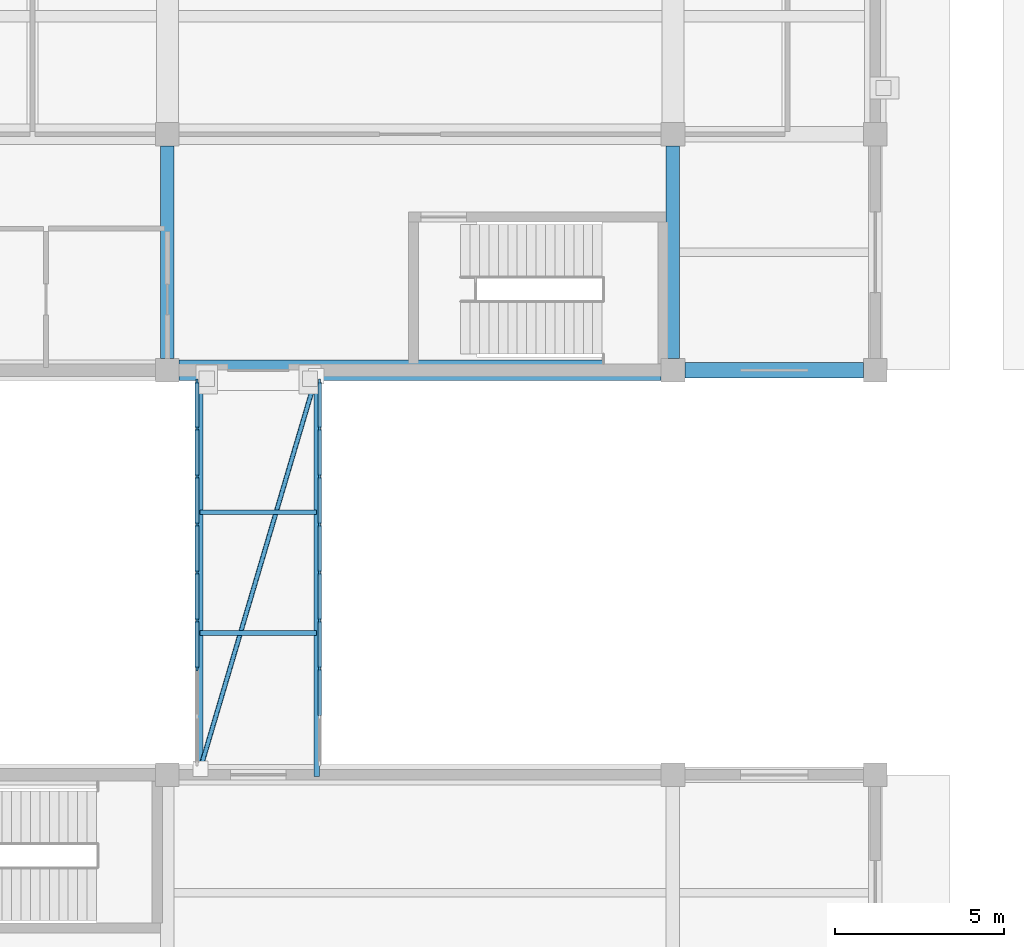
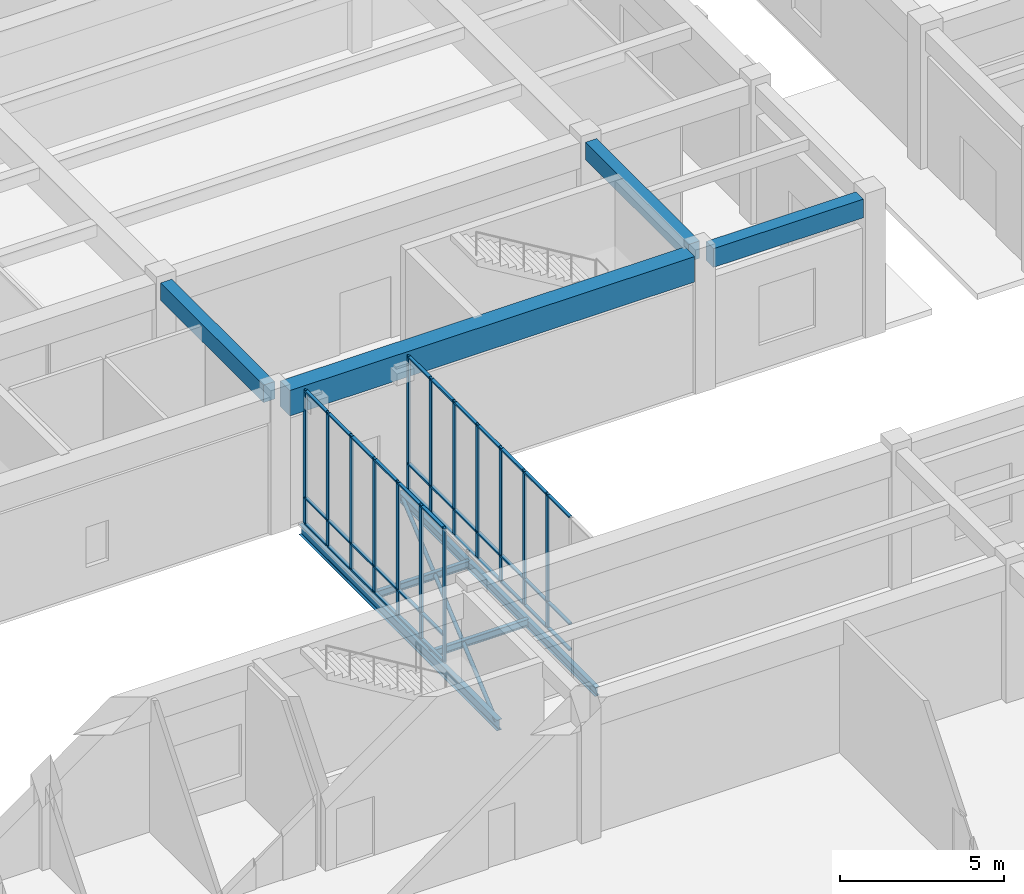
# One storey, part 8 of 40: 54 members, 8 beams, 2 elements without a shape of their own.
"""IFC4 building model written with IfcOpenShell, lengths in metres."""

from ifc_helpers import new_model, si_unit, direction, frame, origin, origin_2d, place, context, subcontext, project, spatial, rectangle, hollow_circle, i_section, extrude, material, layer, layer_set, material_profile, profile_set, type_object, element, aggregate, save


model = new_model("IFC4")

# Units and contexts
model_context = context("Model", 3, precision=1e-05, world=origin(), true_north=direction((0.0, 1.0)))
body_context = subcontext(model_context, "Body", "Model", "MODEL_VIEW")
ifc_project = project(units=[si_unit("LENGTHUNIT", "METRE"), si_unit("AREAUNIT", "SQUARE_METRE"), si_unit("VOLUMEUNIT", "CUBIC_METRE"), si_unit("PLANEANGLEUNIT", "RADIAN"), si_unit("MASSUNIT", "GRAM", prefix="KILO")], contexts=[model_context])

# Site, building, storey
site_placement = place(None, origin())
site = spatial("IfcSite", under=ifc_project, at=site_placement, CompositionType="ELEMENT")
building_placement = place(site_placement, origin())
building = spatial("IfcBuilding", under=site, at=building_placement, Name="Naurynzar Civic Courthouse", CompositionType="ELEMENT")
storey_placement = place(building_placement, origin())
storey = spatial("IfcBuildingStorey", under=building, at=storey_placement, Name="L01", CompositionType="ELEMENT", Elevation=0.0)

# Beams
ifc_material_1 = material(Name="Concrete C40/50", Category="concrete")
ifc_material_profile_1 = material_profile(ifc_material_1, rectangle(XDim=0.60009765625, YDim=0.949951171875, at=origin_2d()), Name="PTB 600x950")
ifc_profile_set_1 = profile_set([ifc_material_profile_1], Name="Concrete C40/50")
beam_type_1 = type_object("IfcBeamType", Name="BM-PT-600x950", PredefinedType="T_BEAM", material=ifc_profile_set_1)
beam_1_placement = place(storey_placement, frame((35.35009765625, 44.0, 4.655029296875), z_axis=(1.0, 0.0, 0.0), x_axis=(0.0, 1.0, 0.0)))
element("IfcBeam", 1, at=beam_1_placement, inside=storey, type_object=beam_type_1, Name="V1 beam X-61 L01", PredefinedType="T_BEAM", context=body_context, shape_type="SweptSolid", body=[
    extrude(rectangle(XDim=0.60009765625, YDim=0.949951171875, at=origin_2d()), origin(), (0.0, 0.0, 1.0), 14.2998046875),
])
ifc_material_2 = material(Name="Concrete C40/50", Category="concrete")
ifc_material_profile_2 = material_profile(ifc_material_2, rectangle(XDim=0.39990234375, YDim=0.64990234375, at=origin_2d()), Name="RCB 400x650")
ifc_profile_set_2 = profile_set([ifc_material_profile_2], Name="Concrete C40/50")
beam_type_2 = type_object("IfcBeamType", Name="BM-RC-400x650", PredefinedType="BEAM", material=ifc_profile_set_2)
for number, where, z_axis, x_axis, name in (
    (2, (35.0, 44.35009765625, 4.804931640625), (0.0, 1.0, 0.0), (-1.0, 0.0, 0.0), "V1 girder Y-87 L01"),
    (3, (50.0, 44.35009765625, 4.804931640625), (0.0, 1.0, 0.0), (-1.0, 0.0, 0.0), "V1 girder Y-90 L01"),
):
    element("IfcBeam", number, at=place(storey_placement, frame(where, z_axis=z_axis, x_axis=x_axis)), inside=storey, type_object=beam_type_2, Name=name, PredefinedType="BEAM", context=body_context, shape_type="SweptSolid", body=[
        extrude(rectangle(XDim=0.39990234375, YDim=0.64990234375, at=origin_2d()), origin(), (0.0, 0.0, 1.0), 6.2998046875),
    ])
ifc_material_3 = material(Name="Concrete C40/50", Category="concrete")
ifc_material_profile_3 = material_profile(ifc_material_3, rectangle(XDim=0.449951171875, YDim=0.699951171875, at=origin_2d()), Name="RCB 450x700")
ifc_profile_set_3 = profile_set([ifc_material_profile_3], Name="Concrete C40/50")
beam_type_3 = type_object("IfcBeamType", Name="BM-RC-450x700", PredefinedType="BEAM", material=ifc_profile_set_3)
beam_2_placement = place(storey_placement, frame((50.35009765625, 44.0, 4.780029296875), z_axis=(1.0, 0.0, 0.0), x_axis=(0.0, 1.0, 0.0)))
element("IfcBeam", 4, at=beam_2_placement, inside=storey, type_object=beam_type_3, Name="V1 beam X-62 L01", PredefinedType="BEAM", context=body_context, shape_type="SweptSolid", body=[
    extrude(rectangle(XDim=0.449951171875, YDim=0.699951171875, at=origin_2d()), origin(), (0.0, 0.0, 1.0), 5.2998046875),
])
ifc_material_4 = material(Name="Steel S355", Category="steel")
ifc_material_profile_4 = material_profile(ifc_material_4, i_section(OverallWidth=0.135009765625, OverallDepth=0.27001953125, WebThickness=0.006591796875, FlangeThickness=0.01025390625, FilletRadius=0.014892578125, at=origin_2d()), Name="IPE 270")
ifc_profile_set_4 = profile_set([ifc_material_profile_4], Name="Steel S355")
beam_type_4 = type_object("IfcBeamType", Name="BM-STL-IPE270", PredefinedType="BEAM", material=ifc_profile_set_4)
for number, where, z_axis, x_axis, name in (
    (5, (35.969970703125, 36.2060546875, -0.375), (1.0, 0.0, 0.0), (0.0, 1.0, 0.0), "BR-W1 deck cross-beam L01.1"),
    (6, (35.969970703125, 39.7939453125, -0.375), (1.0, 0.0, 0.0), (0.0, 1.0, 0.0), "BR-W1 deck cross-beam L01.2"),
):
    element("IfcBeam", number, at=place(storey_placement, frame(where, z_axis=z_axis, x_axis=x_axis)), inside=storey, type_object=beam_type_4, Name=name, PredefinedType="BEAM", context=body_context, shape_type="SweptSolid", body=[
        extrude(i_section(OverallWidth=0.135009765625, OverallDepth=0.27001953125, WebThickness=0.006591796875, FlangeThickness=0.01025390625, FilletRadius=0.014892578125, at=origin_2d()), origin(), (0.0, 0.0, 1.0), 3.4599609375),
    ])
ifc_material_5 = material(Name="Steel S355", Category="steel")
ifc_material_profile_5 = material_profile(ifc_material_5, i_section(OverallWidth=0.159912109375, OverallDepth=0.330078125, WebThickness=0.007568359375, FlangeThickness=0.011474609375, FilletRadius=0.01806640625, at=origin_2d()), Name="IPE 330")
ifc_profile_set_5 = profile_set([ifc_material_profile_5], Name="Steel S355")
beam_type_5 = type_object("IfcBeamType", Name="BM-STL-IPE330", PredefinedType="BEAM", material=ifc_profile_set_5)
beam_3_placement = place(storey_placement, frame((39.429931640625, 31.949951171875, -0.405029296875), z_axis=(0.0, 1.0, 0.0), x_axis=(-1.0, 0.0, 0.0)))
element("IfcBeam", 7, at=beam_3_placement, inside=storey, type_object=beam_type_5, Name="BR-W1 edge steel beam L01.2", PredefinedType="BEAM", context=body_context, shape_type="SweptSolid", body=[
    extrude(i_section(OverallWidth=0.159912109375, OverallDepth=0.330078125, WebThickness=0.007568359375, FlangeThickness=0.011474609375, FilletRadius=0.01806640625, at=origin_2d()), origin(), (0.0, 0.0, 1.0), 12.10009765625),
])
ifc_material_6 = material(Name="Steel S355", Category="steel")
ifc_material_profile_6 = material_profile(ifc_material_6, i_section(OverallWidth=0.179931640625, OverallDepth=0.39990234375, WebThickness=0.008544921875, FlangeThickness=0.013427734375, FilletRadius=0.02099609375, at=origin_2d()), Name="IPE 400")
ifc_profile_set_6 = profile_set([ifc_material_profile_6], Name="Steel S355")
beam_type_6 = type_object("IfcBeamType", Name="BM-STL-IPE400", PredefinedType="BEAM", material=ifc_profile_set_6)
beam_4_placement = place(storey_placement, frame((35.969970703125, 31.949951171875, -0.43994140625), z_axis=(0.0, 1.0, 0.0), x_axis=(-1.0, 0.0, 0.0)))
element("IfcBeam", 8, at=beam_4_placement, inside=storey, type_object=beam_type_6, Name="BR-W1 edge steel beam L01.1", PredefinedType="BEAM", context=body_context, shape_type="SweptSolid", body=[
    extrude(i_section(OverallWidth=0.179931640625, OverallDepth=0.39990234375, WebThickness=0.008544921875, FlangeThickness=0.013427734375, FilletRadius=0.02099609375, at=origin_2d()), origin(), (0.0, 0.0, 1.0), 12.10009765625),
])

# Curtain wall, members
ifc_material_7 = material(Name="Aluminium 6063-T6", Category="aluminium")
ifc_layer = layer(ifc_material_7, 0.14990234375)
ifc_layer_set = layer_set([ifc_layer], Name="CW-BRIDGE-1500")
curtain_wall_type = type_object("IfcCurtainWallType", Name="CW-BRIDGE-1500", PredefinedType="USERDEFINED", material=ifc_layer_set)
curtain_wall_1_placement = place(storey_placement, origin())
curtain_wall_1 = element("IfcCurtainWall", 9, at=curtain_wall_1_placement, inside=storey, type_object=curtain_wall_type, Name="BR-W1 glazed bridge screen L01.1", ObjectType="GLAZED BRIDGE SCREEN", PredefinedType="USERDEFINED")
ifc_material_8 = material(Name="Aluminium 6063-T6", Category="aluminium")
ifc_material_profile_7 = material_profile(ifc_material_8, rectangle(XDim=0.06005859375, YDim=0.14990234375, at=origin_2d()), Name="ALU MULLION 60x150")
ifc_profile_set_7 = profile_set([ifc_material_profile_7], Name="Aluminium 6063-T6")
member_type_1 = type_object("IfcMemberType", Name="CWM-60x150", PredefinedType="MULLION", material=ifc_profile_set_7)
member_1_placement = place(storey_placement, frame((35.8798828125, 43.669921875, 0.0), z_axis=(0.0, 0.0, 1.0), x_axis=(1.0, 0.0, 0.0)))
member_1 = element("IfcMember", 10, at=member_1_placement, type_object=member_type_1, Name="CW-03 mullion 1", PredefinedType="MULLION", context=body_context, shape_type="SweptSolid", body=[
    extrude(rectangle(XDim=0.06005859375, YDim=0.14990234375, at=origin_2d()), origin(), (0.0, 0.0, 1.0), 5.02001953125),
])
member_2_placement = place(storey_placement, frame((35.8798828125, 42.27490234375, 0.0), z_axis=(0.0, 0.0, 1.0), x_axis=(1.0, 0.0, 0.0)))
member_2 = element("IfcMember", 11, at=member_2_placement, type_object=member_type_1, Name="CW-03 mullion 2", PredefinedType="MULLION", context=body_context, shape_type="SweptSolid", body=[
    extrude(rectangle(XDim=0.06005859375, YDim=0.14990234375, at=origin_2d()), origin(), (0.0, 0.0, 1.0), 5.02001953125),
])
member_3_placement = place(storey_placement, frame((35.8798828125, 40.85009765625, 0.0), z_axis=(0.0, 0.0, 1.0), x_axis=(1.0, 0.0, 0.0)))
member_3 = element("IfcMember", 12, at=member_3_placement, type_object=member_type_1, Name="CW-03 mullion 3", PredefinedType="MULLION", context=body_context, shape_type="SweptSolid", body=[
    extrude(rectangle(XDim=0.06005859375, YDim=0.14990234375, at=origin_2d()), origin(), (0.0, 0.0, 1.0), 5.02001953125),
])
member_4_placement = place(storey_placement, frame((35.8798828125, 39.425048828125, 0.0), z_axis=(0.0, 0.0, 1.0), x_axis=(1.0, 0.0, 0.0)))
member_4 = element("IfcMember", 13, at=member_4_placement, type_object=member_type_1, Name="CW-03 mullion 4", PredefinedType="MULLION", context=body_context, shape_type="SweptSolid", body=[
    extrude(rectangle(XDim=0.06005859375, YDim=0.14990234375, at=origin_2d()), origin(), (0.0, 0.0, 1.0), 5.02001953125),
])
member_5_placement = place(storey_placement, frame((35.8798828125, 38.0, 0.0), z_axis=(0.0, 0.0, 1.0), x_axis=(1.0, 0.0, 0.0)))
member_5 = element("IfcMember", 14, at=member_5_placement, type_object=member_type_1, Name="CW-03 mullion 5", PredefinedType="MULLION", context=body_context, shape_type="SweptSolid", body=[
    extrude(rectangle(XDim=0.06005859375, YDim=0.14990234375, at=origin_2d()), origin(), (0.0, 0.0, 1.0), 5.02001953125),
])
member_6_placement = place(storey_placement, frame((35.8798828125, 36.574951171875, 0.0), z_axis=(0.0, 0.0, 1.0), x_axis=(1.0, 0.0, 0.0)))
member_6 = element("IfcMember", 15, at=member_6_placement, type_object=member_type_1, Name="CW-03 mullion 6", PredefinedType="MULLION", context=body_context, shape_type="SweptSolid", body=[
    extrude(rectangle(XDim=0.06005859375, YDim=0.14990234375, at=origin_2d()), origin(), (0.0, 0.0, 1.0), 5.02001953125),
])
member_7_placement = place(storey_placement, frame((35.8798828125, 35.14990234375, 0.0), z_axis=(0.0, 0.0, 1.0), x_axis=(1.0, 0.0, 0.0)))
member_7 = element("IfcMember", 16, at=member_7_placement, type_object=member_type_1, Name="CW-03 mullion 7", PredefinedType="MULLION", context=body_context, shape_type="SweptSolid", body=[
    extrude(rectangle(XDim=0.06005859375, YDim=0.14990234375, at=origin_2d()), origin(), (0.0, 0.0, 1.0), 5.02001953125),
])

curtain_wall_2_placement = place(storey_placement, origin())
curtain_wall_2 = element("IfcCurtainWall", 17, at=curtain_wall_2_placement, inside=storey, type_object=curtain_wall_type, Name="BR-W1 glazed bridge screen L01.2", ObjectType="GLAZED BRIDGE SCREEN", PredefinedType="USERDEFINED")
member_8_placement = place(storey_placement, frame((39.52001953125, 35.14990234375, 0.0), z_axis=(0.0, 0.0, 1.0), x_axis=(-1.0, 0.0, 0.0)))
member_8 = element("IfcMember", 18, at=member_8_placement, type_object=member_type_1, Name="CW-03 mullion 3", PredefinedType="MULLION", context=body_context, shape_type="SweptSolid", body=[
    extrude(rectangle(XDim=0.06005859375, YDim=0.14990234375, at=origin_2d()), origin(), (0.0, 0.0, 1.0), 5.02001953125),
])
member_9_placement = place(storey_placement, frame((39.52001953125, 36.574951171875, 0.0), z_axis=(0.0, 0.0, 1.0), x_axis=(-1.0, 0.0, 0.0)))
member_9 = element("IfcMember", 19, at=member_9_placement, type_object=member_type_1, Name="CW-03 mullion 4", PredefinedType="MULLION", context=body_context, shape_type="SweptSolid", body=[
    extrude(rectangle(XDim=0.06005859375, YDim=0.14990234375, at=origin_2d()), origin(), (0.0, 0.0, 1.0), 5.02001953125),
])
member_10_placement = place(storey_placement, frame((39.52001953125, 38.0, 0.0), z_axis=(0.0, 0.0, 1.0), x_axis=(-1.0, 0.0, 0.0)))
member_10 = element("IfcMember", 20, at=member_10_placement, type_object=member_type_1, Name="CW-03 mullion 5", PredefinedType="MULLION", context=body_context, shape_type="SweptSolid", body=[
    extrude(rectangle(XDim=0.06005859375, YDim=0.14990234375, at=origin_2d()), origin(), (0.0, 0.0, 1.0), 5.02001953125),
])
member_11_placement = place(storey_placement, frame((39.52001953125, 39.425048828125, 0.0), z_axis=(0.0, 0.0, 1.0), x_axis=(-1.0, 0.0, 0.0)))
member_11 = element("IfcMember", 21, at=member_11_placement, type_object=member_type_1, Name="CW-03 mullion 6", PredefinedType="MULLION", context=body_context, shape_type="SweptSolid", body=[
    extrude(rectangle(XDim=0.06005859375, YDim=0.14990234375, at=origin_2d()), origin(), (0.0, 0.0, 1.0), 5.02001953125),
])
member_12_placement = place(storey_placement, frame((39.52001953125, 40.85009765625, 0.0), z_axis=(0.0, 0.0, 1.0), x_axis=(-1.0, 0.0, 0.0)))
member_12 = element("IfcMember", 22, at=member_12_placement, type_object=member_type_1, Name="CW-03 mullion 7", PredefinedType="MULLION", context=body_context, shape_type="SweptSolid", body=[
    extrude(rectangle(XDim=0.06005859375, YDim=0.14990234375, at=origin_2d()), origin(), (0.0, 0.0, 1.0), 5.02001953125),
])
member_13_placement = place(storey_placement, frame((39.52001953125, 42.27490234375, 0.0), z_axis=(0.0, 0.0, 1.0), x_axis=(-1.0, 0.0, 0.0)))
member_13 = element("IfcMember", 23, at=member_13_placement, type_object=member_type_1, Name="CW-03 mullion 8", PredefinedType="MULLION", context=body_context, shape_type="SweptSolid", body=[
    extrude(rectangle(XDim=0.06005859375, YDim=0.14990234375, at=origin_2d()), origin(), (0.0, 0.0, 1.0), 5.02001953125),
])
member_14_placement = place(storey_placement, frame((39.52001953125, 43.669921875, 0.0), z_axis=(0.0, 0.0, 1.0), x_axis=(-1.0, 0.0, 0.0)))
member_14 = element("IfcMember", 24, at=member_14_placement, type_object=member_type_1, Name="CW-03 mullion 9", PredefinedType="MULLION", context=body_context, shape_type="SweptSolid", body=[
    extrude(rectangle(XDim=0.06005859375, YDim=0.14990234375, at=origin_2d()), origin(), (0.0, 0.0, 1.0), 5.02001953125),
])

# Member
ifc_material_9 = material(Name="Aluminium 6063-T6", Category="aluminium")
ifc_material_profile_8 = material_profile(ifc_material_9, rectangle(XDim=0.110107421875, YDim=0.06005859375, at=origin_2d()), Name="ALU TRANSOM 60x110")
ifc_profile_set_8 = profile_set([ifc_material_profile_8], Name="Aluminium 6063-T6")
member_type_2 = type_object("IfcMemberType", Name="CWT-60x110", PredefinedType="USERDEFINED", material=ifc_profile_set_8)
member_15_placement = place(storey_placement, frame((35.8798828125, 43.639892578125, 0.030029296875), z_axis=(0.0, -1.0, 0.0), x_axis=(1.0, 0.0, 0.0)))
member_15 = element("IfcMember", 25, at=member_15_placement, type_object=member_type_2, Name="CW-03 transom 1.1", ObjectType="TRANSOM", PredefinedType="USERDEFINED", context=body_context, shape_type="SweptSolid", body=[
    extrude(rectangle(XDim=0.110107421875, YDim=0.06005859375, at=origin_2d()), origin(), (0.0, 0.0, 1.0), 1.3349609375),
])

member_16_placement = place(storey_placement, frame((35.8798828125, 43.639892578125, 1.0), z_axis=(0.0, -1.0, 0.0), x_axis=(1.0, 0.0, 0.0)))
member_16 = element("IfcMember", 26, at=member_16_placement, type_object=member_type_2, Name="CW-03 transom 1.2", ObjectType="TRANSOM", PredefinedType="USERDEFINED", context=body_context, shape_type="SweptSolid", body=[
    extrude(rectangle(XDim=0.110107421875, YDim=0.06005859375, at=origin_2d()), origin(), (0.0, 0.0, 1.0), 1.3349609375),
])

member_17_placement = place(storey_placement, frame((35.8798828125, 43.639892578125, 4.989990234375), z_axis=(0.0, -1.0, 0.0), x_axis=(1.0, 0.0, 0.0)))
member_17 = element("IfcMember", 27, at=member_17_placement, type_object=member_type_2, Name="CW-03 transom 1.3", ObjectType="TRANSOM", PredefinedType="USERDEFINED", context=body_context, shape_type="SweptSolid", body=[
    extrude(rectangle(XDim=0.110107421875, YDim=0.06005859375, at=origin_2d()), origin(), (0.0, 0.0, 1.0), 1.3349609375),
])

member_18_placement = place(storey_placement, frame((35.8798828125, 42.2451171875, 0.030029296875), z_axis=(0.0, -1.0, 0.0), x_axis=(1.0, 0.0, 0.0)))
member_18 = element("IfcMember", 28, at=member_18_placement, type_object=member_type_2, Name="CW-03 transom 2.1", ObjectType="TRANSOM", PredefinedType="USERDEFINED", context=body_context, shape_type="SweptSolid", body=[
    extrude(rectangle(XDim=0.110107421875, YDim=0.06005859375, at=origin_2d()), origin(), (0.0, 0.0, 1.0), 1.365234375),
])

member_19_placement = place(storey_placement, frame((35.8798828125, 42.2451171875, 1.0), z_axis=(0.0, -1.0, 0.0), x_axis=(1.0, 0.0, 0.0)))
member_19 = element("IfcMember", 29, at=member_19_placement, type_object=member_type_2, Name="CW-03 transom 2.2", ObjectType="TRANSOM", PredefinedType="USERDEFINED", context=body_context, shape_type="SweptSolid", body=[
    extrude(rectangle(XDim=0.110107421875, YDim=0.06005859375, at=origin_2d()), origin(), (0.0, 0.0, 1.0), 1.365234375),
])

member_20_placement = place(storey_placement, frame((35.8798828125, 42.2451171875, 4.989990234375), z_axis=(0.0, -1.0, 0.0), x_axis=(1.0, 0.0, 0.0)))
member_20 = element("IfcMember", 30, at=member_20_placement, type_object=member_type_2, Name="CW-03 transom 2.3", ObjectType="TRANSOM", PredefinedType="USERDEFINED", context=body_context, shape_type="SweptSolid", body=[
    extrude(rectangle(XDim=0.110107421875, YDim=0.06005859375, at=origin_2d()), origin(), (0.0, 0.0, 1.0), 1.365234375),
])

member_21_placement = place(storey_placement, frame((35.8798828125, 40.820068359375, 0.030029296875), z_axis=(0.0, -1.0, 0.0), x_axis=(1.0, 0.0, 0.0)))
member_21 = element("IfcMember", 31, at=member_21_placement, type_object=member_type_2, Name="CW-03 transom 3.1", ObjectType="TRANSOM", PredefinedType="USERDEFINED", context=body_context, shape_type="SweptSolid", body=[
    extrude(rectangle(XDim=0.110107421875, YDim=0.06005859375, at=origin_2d()), origin(), (0.0, 0.0, 1.0), 1.364990234375),
])

member_22_placement = place(storey_placement, frame((35.8798828125, 40.820068359375, 1.0), z_axis=(0.0, -1.0, 0.0), x_axis=(1.0, 0.0, 0.0)))
member_22 = element("IfcMember", 32, at=member_22_placement, type_object=member_type_2, Name="CW-03 transom 3.2", ObjectType="TRANSOM", PredefinedType="USERDEFINED", context=body_context, shape_type="SweptSolid", body=[
    extrude(rectangle(XDim=0.110107421875, YDim=0.06005859375, at=origin_2d()), origin(), (0.0, 0.0, 1.0), 1.364990234375),
])

member_23_placement = place(storey_placement, frame((35.8798828125, 40.820068359375, 4.989990234375), z_axis=(0.0, -1.0, 0.0), x_axis=(1.0, 0.0, 0.0)))
member_23 = element("IfcMember", 33, at=member_23_placement, type_object=member_type_2, Name="CW-03 transom 3.3", ObjectType="TRANSOM", PredefinedType="USERDEFINED", context=body_context, shape_type="SweptSolid", body=[
    extrude(rectangle(XDim=0.110107421875, YDim=0.06005859375, at=origin_2d()), origin(), (0.0, 0.0, 1.0), 1.364990234375),
])

member_24_placement = place(storey_placement, frame((35.8798828125, 39.39501953125, 0.030029296875), z_axis=(0.0, -1.0, 0.0), x_axis=(1.0, 0.0, 0.0)))
member_24 = element("IfcMember", 34, at=member_24_placement, type_object=member_type_2, Name="CW-03 transom 4.1", ObjectType="TRANSOM", PredefinedType="USERDEFINED", context=body_context, shape_type="SweptSolid", body=[
    extrude(rectangle(XDim=0.110107421875, YDim=0.06005859375, at=origin_2d()), origin(), (0.0, 0.0, 1.0), 1.364990234375),
])

member_25_placement = place(storey_placement, frame((35.8798828125, 39.39501953125, 1.0), z_axis=(0.0, -1.0, 0.0), x_axis=(1.0, 0.0, 0.0)))
member_25 = element("IfcMember", 35, at=member_25_placement, type_object=member_type_2, Name="CW-03 transom 4.2", ObjectType="TRANSOM", PredefinedType="USERDEFINED", context=body_context, shape_type="SweptSolid", body=[
    extrude(rectangle(XDim=0.110107421875, YDim=0.06005859375, at=origin_2d()), origin(), (0.0, 0.0, 1.0), 1.364990234375),
])

member_26_placement = place(storey_placement, frame((35.8798828125, 39.39501953125, 4.989990234375), z_axis=(0.0, -1.0, 0.0), x_axis=(1.0, 0.0, 0.0)))
member_26 = element("IfcMember", 36, at=member_26_placement, type_object=member_type_2, Name="CW-03 transom 4.3", ObjectType="TRANSOM", PredefinedType="USERDEFINED", context=body_context, shape_type="SweptSolid", body=[
    extrude(rectangle(XDim=0.110107421875, YDim=0.06005859375, at=origin_2d()), origin(), (0.0, 0.0, 1.0), 1.364990234375),
])

member_27_placement = place(storey_placement, frame((35.8798828125, 37.969970703125, 0.030029296875), z_axis=(0.0, -1.0, 0.0), x_axis=(1.0, 0.0, 0.0)))
member_27 = element("IfcMember", 37, at=member_27_placement, type_object=member_type_2, Name="CW-03 transom 5.1", ObjectType="TRANSOM", PredefinedType="USERDEFINED", context=body_context, shape_type="SweptSolid", body=[
    extrude(rectangle(XDim=0.110107421875, YDim=0.06005859375, at=origin_2d()), origin(), (0.0, 0.0, 1.0), 1.364990234375),
])

member_28_placement = place(storey_placement, frame((35.8798828125, 37.969970703125, 1.0), z_axis=(0.0, -1.0, 0.0), x_axis=(1.0, 0.0, 0.0)))
member_28 = element("IfcMember", 38, at=member_28_placement, type_object=member_type_2, Name="CW-03 transom 5.2", ObjectType="TRANSOM", PredefinedType="USERDEFINED", context=body_context, shape_type="SweptSolid", body=[
    extrude(rectangle(XDim=0.110107421875, YDim=0.06005859375, at=origin_2d()), origin(), (0.0, 0.0, 1.0), 1.364990234375),
])

member_29_placement = place(storey_placement, frame((35.8798828125, 37.969970703125, 4.989990234375), z_axis=(0.0, -1.0, 0.0), x_axis=(1.0, 0.0, 0.0)))
member_29 = element("IfcMember", 39, at=member_29_placement, type_object=member_type_2, Name="CW-03 transom 5.3", ObjectType="TRANSOM", PredefinedType="USERDEFINED", context=body_context, shape_type="SweptSolid", body=[
    extrude(rectangle(XDim=0.110107421875, YDim=0.06005859375, at=origin_2d()), origin(), (0.0, 0.0, 1.0), 1.364990234375),
])

member_30_placement = place(storey_placement, frame((35.8798828125, 36.544921875, 0.030029296875), z_axis=(0.0, -1.0, 0.0), x_axis=(1.0, 0.0, 0.0)))
member_30 = element("IfcMember", 40, at=member_30_placement, type_object=member_type_2, Name="CW-03 transom 6.1", ObjectType="TRANSOM", PredefinedType="USERDEFINED", context=body_context, shape_type="SweptSolid", body=[
    extrude(rectangle(XDim=0.110107421875, YDim=0.06005859375, at=origin_2d()), origin(), (0.0, 0.0, 1.0), 1.364990234375),
])

member_31_placement = place(storey_placement, frame((35.8798828125, 36.544921875, 1.0), z_axis=(0.0, -1.0, 0.0), x_axis=(1.0, 0.0, 0.0)))
member_31 = element("IfcMember", 41, at=member_31_placement, type_object=member_type_2, Name="CW-03 transom 6.2", ObjectType="TRANSOM", PredefinedType="USERDEFINED", context=body_context, shape_type="SweptSolid", body=[
    extrude(rectangle(XDim=0.110107421875, YDim=0.06005859375, at=origin_2d()), origin(), (0.0, 0.0, 1.0), 1.364990234375),
])

member_32_placement = place(storey_placement, frame((35.8798828125, 36.544921875, 4.989990234375), z_axis=(0.0, -1.0, 0.0), x_axis=(1.0, 0.0, 0.0)))
member_32 = element("IfcMember", 42, at=member_32_placement, type_object=member_type_2, Name="CW-03 transom 6.3", ObjectType="TRANSOM", PredefinedType="USERDEFINED", context=body_context, shape_type="SweptSolid", body=[
    extrude(rectangle(XDim=0.110107421875, YDim=0.06005859375, at=origin_2d()), origin(), (0.0, 0.0, 1.0), 1.364990234375),
])

aggregate(curtain_wall_1, [member_1, member_2, member_3, member_4, member_5, member_6, member_7, member_15, member_16, member_17, member_18, member_19, member_20, member_21, member_22, member_23, member_24, member_25, member_26, member_27, member_28, member_29, member_30, member_31, member_32])

member_33_placement = place(storey_placement, frame((39.52001953125, 33.7548828125, 0.030029296875), z_axis=(0.0, 1.0, 0.0), x_axis=(-1.0, 0.0, 0.0)))
member_33 = element("IfcMember", 43, at=member_33_placement, type_object=member_type_2, Name="CW-03 transom 2.1", ObjectType="TRANSOM", PredefinedType="USERDEFINED", context=body_context, shape_type="SweptSolid", body=[
    extrude(rectangle(XDim=0.110107421875, YDim=0.06005859375, at=origin_2d()), origin(), (0.0, 0.0, 1.0), 1.365234375),
])

member_34_placement = place(storey_placement, frame((39.52001953125, 33.7548828125, 1.0), z_axis=(0.0, 1.0, 0.0), x_axis=(-1.0, 0.0, 0.0)))
member_34 = element("IfcMember", 44, at=member_34_placement, type_object=member_type_2, Name="CW-03 transom 2.2", ObjectType="TRANSOM", PredefinedType="USERDEFINED", context=body_context, shape_type="SweptSolid", body=[
    extrude(rectangle(XDim=0.110107421875, YDim=0.06005859375, at=origin_2d()), origin(), (0.0, 0.0, 1.0), 1.365234375),
])

member_35_placement = place(storey_placement, frame((39.52001953125, 33.7548828125, 4.989990234375), z_axis=(0.0, 1.0, 0.0), x_axis=(-1.0, 0.0, 0.0)))
member_35 = element("IfcMember", 45, at=member_35_placement, type_object=member_type_2, Name="CW-03 transom 2.3", ObjectType="TRANSOM", PredefinedType="USERDEFINED", context=body_context, shape_type="SweptSolid", body=[
    extrude(rectangle(XDim=0.110107421875, YDim=0.06005859375, at=origin_2d()), origin(), (0.0, 0.0, 1.0), 1.365234375),
])

member_36_placement = place(storey_placement, frame((39.52001953125, 35.179931640625, 0.030029296875), z_axis=(0.0, 1.0, 0.0), x_axis=(-1.0, 0.0, 0.0)))
member_36 = element("IfcMember", 46, at=member_36_placement, type_object=member_type_2, Name="CW-03 transom 3.1", ObjectType="TRANSOM", PredefinedType="USERDEFINED", context=body_context, shape_type="SweptSolid", body=[
    extrude(rectangle(XDim=0.110107421875, YDim=0.06005859375, at=origin_2d()), origin(), (0.0, 0.0, 1.0), 1.364990234375),
])

member_37_placement = place(storey_placement, frame((39.52001953125, 35.179931640625, 1.0), z_axis=(0.0, 1.0, 0.0), x_axis=(-1.0, 0.0, 0.0)))
member_37 = element("IfcMember", 47, at=member_37_placement, type_object=member_type_2, Name="CW-03 transom 3.2", ObjectType="TRANSOM", PredefinedType="USERDEFINED", context=body_context, shape_type="SweptSolid", body=[
    extrude(rectangle(XDim=0.110107421875, YDim=0.06005859375, at=origin_2d()), origin(), (0.0, 0.0, 1.0), 1.364990234375),
])

member_38_placement = place(storey_placement, frame((39.52001953125, 35.179931640625, 4.989990234375), z_axis=(0.0, 1.0, 0.0), x_axis=(-1.0, 0.0, 0.0)))
member_38 = element("IfcMember", 48, at=member_38_placement, type_object=member_type_2, Name="CW-03 transom 3.3", ObjectType="TRANSOM", PredefinedType="USERDEFINED", context=body_context, shape_type="SweptSolid", body=[
    extrude(rectangle(XDim=0.110107421875, YDim=0.06005859375, at=origin_2d()), origin(), (0.0, 0.0, 1.0), 1.364990234375),
])

member_39_placement = place(storey_placement, frame((39.52001953125, 36.60498046875, 0.030029296875), z_axis=(0.0, 1.0, 0.0), x_axis=(-1.0, 0.0, 0.0)))
member_39 = element("IfcMember", 49, at=member_39_placement, type_object=member_type_2, Name="CW-03 transom 4.1", ObjectType="TRANSOM", PredefinedType="USERDEFINED", context=body_context, shape_type="SweptSolid", body=[
    extrude(rectangle(XDim=0.110107421875, YDim=0.06005859375, at=origin_2d()), origin(), (0.0, 0.0, 1.0), 1.364990234375),
])

member_40_placement = place(storey_placement, frame((39.52001953125, 36.60498046875, 1.0), z_axis=(0.0, 1.0, 0.0), x_axis=(-1.0, 0.0, 0.0)))
member_40 = element("IfcMember", 50, at=member_40_placement, type_object=member_type_2, Name="CW-03 transom 4.2", ObjectType="TRANSOM", PredefinedType="USERDEFINED", context=body_context, shape_type="SweptSolid", body=[
    extrude(rectangle(XDim=0.110107421875, YDim=0.06005859375, at=origin_2d()), origin(), (0.0, 0.0, 1.0), 1.364990234375),
])

member_41_placement = place(storey_placement, frame((39.52001953125, 36.60498046875, 4.989990234375), z_axis=(0.0, 1.0, 0.0), x_axis=(-1.0, 0.0, 0.0)))
member_41 = element("IfcMember", 51, at=member_41_placement, type_object=member_type_2, Name="CW-03 transom 4.3", ObjectType="TRANSOM", PredefinedType="USERDEFINED", context=body_context, shape_type="SweptSolid", body=[
    extrude(rectangle(XDim=0.110107421875, YDim=0.06005859375, at=origin_2d()), origin(), (0.0, 0.0, 1.0), 1.364990234375),
])

member_42_placement = place(storey_placement, frame((39.52001953125, 38.030029296875, 0.030029296875), z_axis=(0.0, 1.0, 0.0), x_axis=(-1.0, 0.0, 0.0)))
member_42 = element("IfcMember", 52, at=member_42_placement, type_object=member_type_2, Name="CW-03 transom 5.1", ObjectType="TRANSOM", PredefinedType="USERDEFINED", context=body_context, shape_type="SweptSolid", body=[
    extrude(rectangle(XDim=0.110107421875, YDim=0.06005859375, at=origin_2d()), origin(), (0.0, 0.0, 1.0), 1.364990234375),
])

member_43_placement = place(storey_placement, frame((39.52001953125, 38.030029296875, 1.0), z_axis=(0.0, 1.0, 0.0), x_axis=(-1.0, 0.0, 0.0)))
member_43 = element("IfcMember", 53, at=member_43_placement, type_object=member_type_2, Name="CW-03 transom 5.2", ObjectType="TRANSOM", PredefinedType="USERDEFINED", context=body_context, shape_type="SweptSolid", body=[
    extrude(rectangle(XDim=0.110107421875, YDim=0.06005859375, at=origin_2d()), origin(), (0.0, 0.0, 1.0), 1.364990234375),
])

member_44_placement = place(storey_placement, frame((39.52001953125, 38.030029296875, 4.989990234375), z_axis=(0.0, 1.0, 0.0), x_axis=(-1.0, 0.0, 0.0)))
member_44 = element("IfcMember", 54, at=member_44_placement, type_object=member_type_2, Name="CW-03 transom 5.3", ObjectType="TRANSOM", PredefinedType="USERDEFINED", context=body_context, shape_type="SweptSolid", body=[
    extrude(rectangle(XDim=0.110107421875, YDim=0.06005859375, at=origin_2d()), origin(), (0.0, 0.0, 1.0), 1.364990234375),
])

member_45_placement = place(storey_placement, frame((39.52001953125, 39.455078125, 0.030029296875), z_axis=(0.0, 1.0, 0.0), x_axis=(-1.0, 0.0, 0.0)))
member_45 = element("IfcMember", 55, at=member_45_placement, type_object=member_type_2, Name="CW-03 transom 6.1", ObjectType="TRANSOM", PredefinedType="USERDEFINED", context=body_context, shape_type="SweptSolid", body=[
    extrude(rectangle(XDim=0.110107421875, YDim=0.06005859375, at=origin_2d()), origin(), (0.0, 0.0, 1.0), 1.364990234375),
])

member_46_placement = place(storey_placement, frame((39.52001953125, 39.455078125, 1.0), z_axis=(0.0, 1.0, 0.0), x_axis=(-1.0, 0.0, 0.0)))
member_46 = element("IfcMember", 56, at=member_46_placement, type_object=member_type_2, Name="CW-03 transom 6.2", ObjectType="TRANSOM", PredefinedType="USERDEFINED", context=body_context, shape_type="SweptSolid", body=[
    extrude(rectangle(XDim=0.110107421875, YDim=0.06005859375, at=origin_2d()), origin(), (0.0, 0.0, 1.0), 1.364990234375),
])

member_47_placement = place(storey_placement, frame((39.52001953125, 39.455078125, 4.989990234375), z_axis=(0.0, 1.0, 0.0), x_axis=(-1.0, 0.0, 0.0)))
member_47 = element("IfcMember", 57, at=member_47_placement, type_object=member_type_2, Name="CW-03 transom 6.3", ObjectType="TRANSOM", PredefinedType="USERDEFINED", context=body_context, shape_type="SweptSolid", body=[
    extrude(rectangle(XDim=0.110107421875, YDim=0.06005859375, at=origin_2d()), origin(), (0.0, 0.0, 1.0), 1.364990234375),
])

member_48_placement = place(storey_placement, frame((39.52001953125, 40.8798828125, 0.030029296875), z_axis=(0.0, 1.0, 0.0), x_axis=(-1.0, 0.0, 0.0)))
member_48 = element("IfcMember", 58, at=member_48_placement, type_object=member_type_2, Name="CW-03 transom 7.1", ObjectType="TRANSOM", PredefinedType="USERDEFINED", context=body_context, shape_type="SweptSolid", body=[
    extrude(rectangle(XDim=0.110107421875, YDim=0.06005859375, at=origin_2d()), origin(), (0.0, 0.0, 1.0), 1.365234375),
])

member_49_placement = place(storey_placement, frame((39.52001953125, 40.8798828125, 1.0), z_axis=(0.0, 1.0, 0.0), x_axis=(-1.0, 0.0, 0.0)))
member_49 = element("IfcMember", 59, at=member_49_placement, type_object=member_type_2, Name="CW-03 transom 7.2", ObjectType="TRANSOM", PredefinedType="USERDEFINED", context=body_context, shape_type="SweptSolid", body=[
    extrude(rectangle(XDim=0.110107421875, YDim=0.06005859375, at=origin_2d()), origin(), (0.0, 0.0, 1.0), 1.365234375),
])

member_50_placement = place(storey_placement, frame((39.52001953125, 40.8798828125, 4.989990234375), z_axis=(0.0, 1.0, 0.0), x_axis=(-1.0, 0.0, 0.0)))
member_50 = element("IfcMember", 60, at=member_50_placement, type_object=member_type_2, Name="CW-03 transom 7.3", ObjectType="TRANSOM", PredefinedType="USERDEFINED", context=body_context, shape_type="SweptSolid", body=[
    extrude(rectangle(XDim=0.110107421875, YDim=0.06005859375, at=origin_2d()), origin(), (0.0, 0.0, 1.0), 1.365234375),
])

member_51_placement = place(storey_placement, frame((39.52001953125, 42.304931640625, 0.030029296875), z_axis=(0.0, 1.0, 0.0), x_axis=(-1.0, 0.0, 0.0)))
member_51 = element("IfcMember", 61, at=member_51_placement, type_object=member_type_2, Name="CW-03 transom 8.1", ObjectType="TRANSOM", PredefinedType="USERDEFINED", context=body_context, shape_type="SweptSolid", body=[
    extrude(rectangle(XDim=0.110107421875, YDim=0.06005859375, at=origin_2d()), origin(), (0.0, 0.0, 1.0), 1.3349609375),
])

member_52_placement = place(storey_placement, frame((39.52001953125, 42.304931640625, 1.0), z_axis=(0.0, 1.0, 0.0), x_axis=(-1.0, 0.0, 0.0)))
member_52 = element("IfcMember", 62, at=member_52_placement, type_object=member_type_2, Name="CW-03 transom 8.2", ObjectType="TRANSOM", PredefinedType="USERDEFINED", context=body_context, shape_type="SweptSolid", body=[
    extrude(rectangle(XDim=0.110107421875, YDim=0.06005859375, at=origin_2d()), origin(), (0.0, 0.0, 1.0), 1.3349609375),
])

member_53_placement = place(storey_placement, frame((39.52001953125, 42.304931640625, 4.989990234375), z_axis=(0.0, 1.0, 0.0), x_axis=(-1.0, 0.0, 0.0)))
member_53 = element("IfcMember", 63, at=member_53_placement, type_object=member_type_2, Name="CW-03 transom 8.3", ObjectType="TRANSOM", PredefinedType="USERDEFINED", context=body_context, shape_type="SweptSolid", body=[
    extrude(rectangle(XDim=0.110107421875, YDim=0.06005859375, at=origin_2d()), origin(), (0.0, 0.0, 1.0), 1.3349609375),
])

aggregate(curtain_wall_2, [member_8, member_9, member_10, member_11, member_12, member_13, member_14, member_33, member_34, member_35, member_36, member_37, member_38, member_39, member_40, member_41, member_42, member_43, member_44, member_45, member_46, member_47, member_48, member_49, member_50, member_51, member_52, member_53])

ifc_material_10 = material(Name="Steel S355", Category="steel")
ifc_material_profile_9 = material_profile(ifc_material_10, hollow_circle(Radius=0.06982421875, WallThickness=0.008056640625, at=origin_2d()), Name="CHS 139.7x8")
ifc_profile_set_9 = profile_set([ifc_material_profile_9], Name="Steel S355")
member_type_3 = type_object("IfcMemberType", Name="MEM-BRACE-CHS139", PredefinedType="BRACE", material=ifc_profile_set_9)
member_54_placement = place(storey_placement, frame((35.97998046875, 32.179931640625, -0.405029296875), z_axis=(0.283407524243, 0.95899956997, 0.0), x_axis=(-0.95899956997, 0.283407524243, 0.0)))
element("IfcMember", 64, at=member_54_placement, inside=storey, type_object=member_type_3, Name="BR-W1 wind brace L01.1", PredefinedType="BRACE", context=body_context, shape_type="SweptSolid", body=[
    extrude(hollow_circle(Radius=0.06982421875, WallThickness=0.008056640625, at=origin_2d()), origin(), (0.0, 0.0, 1.0), 12.1376953125),
])

save(model, "model.ifc")
